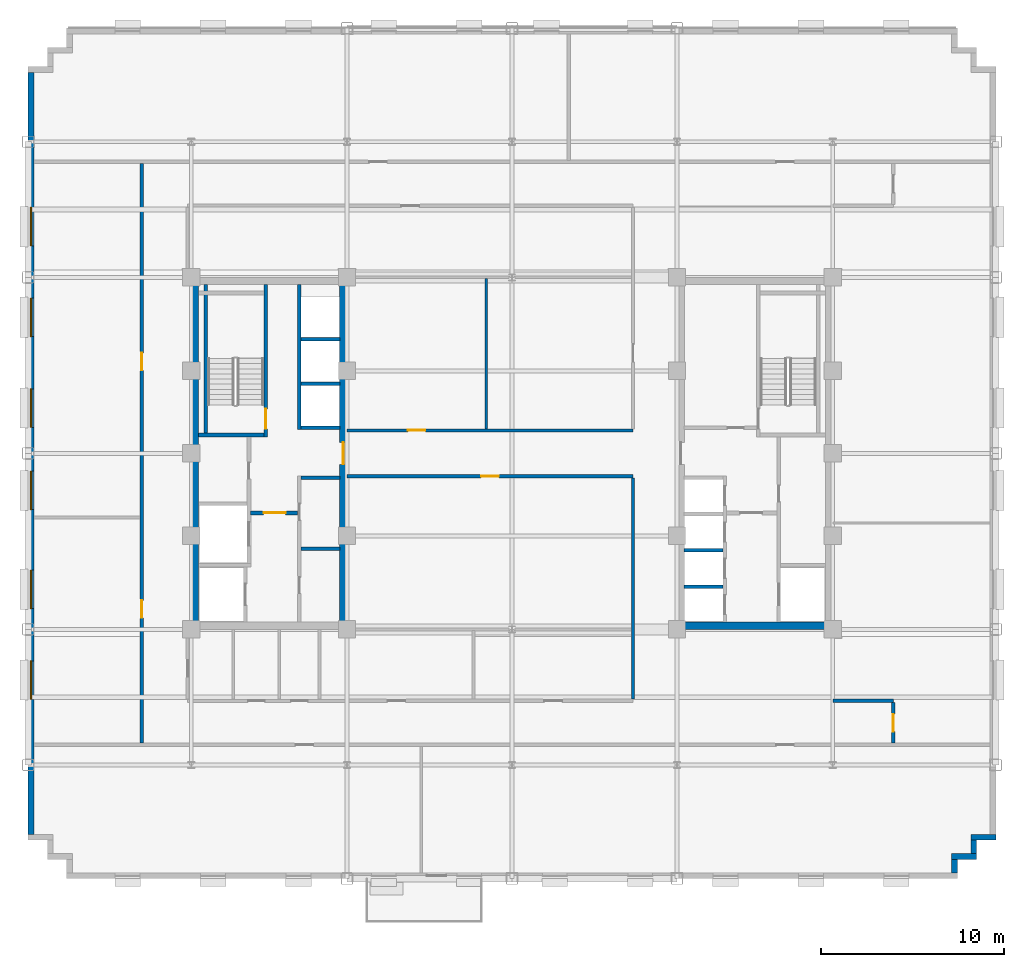
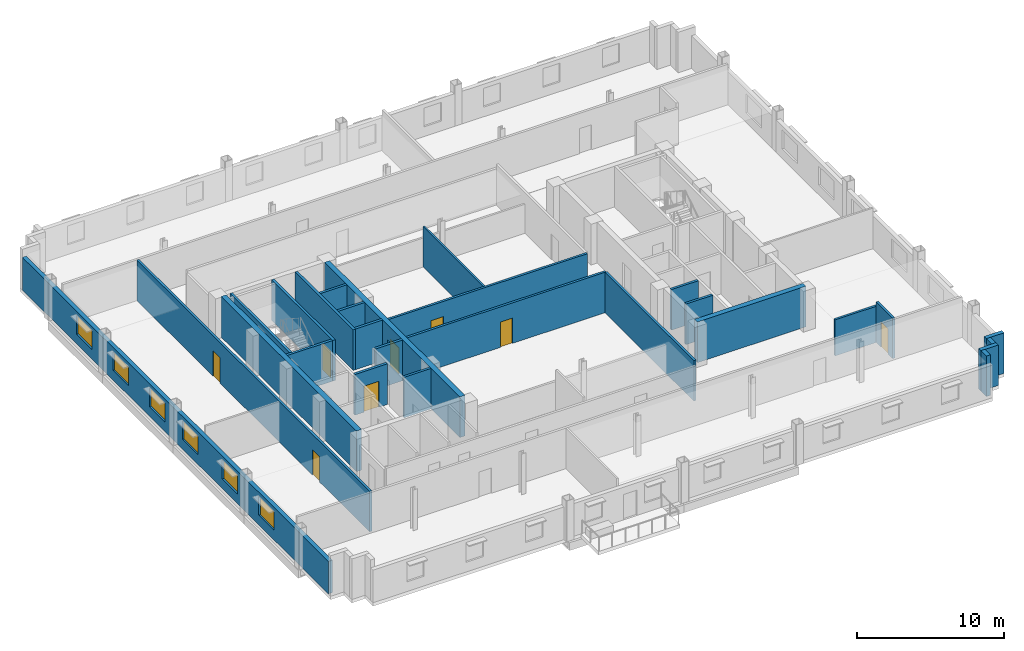
# One storey, part 7 of 14: 27 walls, 8 doors, 6 windows, 14 openings.
"""IFC4 building model written with IfcOpenShell, lengths in metres."""

from ifc_helpers import new_model, si_unit, direction, frame, frame_2d, origin, place, context, subcontext, project, spatial, rectangle, extrude, source, transform, mapped, material, layer, layer_set, type_object, type_shapes, element, fill, save


model = new_model("IFC4")

# Units and contexts
model_context = context("Model", 3, precision=1e-05, world=origin(), true_north=direction((0.0, 1.0)))
body_context = subcontext(model_context, "Body", "Model", "MODEL_VIEW")
ifc_project = project(units=[si_unit("LENGTHUNIT", "METRE"), si_unit("AREAUNIT", "SQUARE_METRE"), si_unit("VOLUMEUNIT", "CUBIC_METRE"), si_unit("PLANEANGLEUNIT", "RADIAN"), si_unit("MASSUNIT", "GRAM", prefix="KILO")], contexts=[model_context])

# Site, building, storey
site_placement = place(None, origin())
site = spatial("IfcSite", under=ifc_project, at=site_placement, CompositionType="ELEMENT")
building_placement = place(site_placement, origin())
building = spatial("IfcBuilding", under=site, at=building_placement, Name="Nuvemarco Arch Tower", CompositionType="ELEMENT")
storey_placement = place(building_placement, frame((0.0, 0.0, 131.14990234375)))
storey = spatial("IfcBuildingStorey", under=building, at=storey_placement, Name="L34", CompositionType="ELEMENT", Elevation=131.14990234375)

# Walls
ifc_material_1 = material(Name="Precast concrete C45/55", Category="concrete")
ifc_layer_1 = layer(ifc_material_1, 0.320068359375, Name="EW-MID-320")
ifc_layer_set_1 = layer_set([ifc_layer_1], Name="Precast concrete C45/55")
wall_type_1 = type_object("IfcWallType", Name="EW-MID-320", PredefinedType="STANDARD", material=ifc_layer_set_1)
wall_1_placement = place(storey_placement, frame((24.139892578125, -22.884033203125, 0.0), z_axis=(0.0, 0.0, 1.0), x_axis=(0.0, 1.0, 0.0)))
element("IfcWall", 1, at=wall_1_placement, inside=storey, type_object=wall_type_1, Name="L34 exterior precast facade wall 2", PredefinedType="STANDARD", context=body_context, shape_type="SweptSolid", body=[
    extrude(rectangle(XDim=0.738037109375, YDim=0.320068359375, at=frame_2d((0.369140625, 0.0))), origin(), (0.0, 0.0, 1.0), 3.360107421875),
])
wall_2_placement = place(storey_placement, frame((23.97998046875, -21.989990234375, 0.0), z_axis=(0.0, 0.0, 1.0), x_axis=(1.0, 0.0, 0.0)))
element("IfcWall", 2, at=wall_2_placement, inside=storey, type_object=wall_type_1, Name="L34 exterior precast facade wall 3", PredefinedType="STANDARD", context=body_context, shape_type="SweptSolid", body=[
    extrude(rectangle(XDim=1.3701171875, YDim=0.320068359375, at=frame_2d((0.68505859375, 0.0))), origin(), (0.0, 0.0, 1.0), 3.360107421875),
])
wall_3_placement = place(storey_placement, frame((25.18994140625, -21.833984375, 0.0), z_axis=(0.0, 0.0, 1.0), x_axis=(0.0, 1.0, 0.0)))
element("IfcWall", 3, at=wall_3_placement, inside=storey, type_object=wall_type_1, Name="L34 exterior precast facade wall 4", PredefinedType="STANDARD", context=body_context, shape_type="SweptSolid", body=[
    extrude(rectangle(XDim=0.738037109375, YDim=0.320068359375, at=frame_2d((0.369140625, 0.0))), origin(), (0.0, 0.0, 1.0), 3.360107421875),
])
wall_4_placement = place(storey_placement, frame((25.030029296875, -20.93994140625, 0.0), z_axis=(0.0, 0.0, 1.0), x_axis=(1.0, 0.0, 0.0)))
element("IfcWall", 4, at=wall_4_placement, inside=storey, type_object=wall_type_1, Name="L34 exterior precast facade wall 5", PredefinedType="STANDARD", context=body_context, shape_type="SweptSolid", body=[
    extrude(rectangle(XDim=1.369873046875, YDim=0.320068359375, at=frame_2d((0.68505859375, 0.0))), origin(), (0.0, 0.0, 1.0), 3.360107421875),
])

# Wall, openings, windows
wall_5_placement = place(storey_placement, frame((-26.239990234375, -20.783935546875, 0.0), z_axis=(0.0, 0.0, 1.0), x_axis=(0.0, 1.0, 0.0)))
wall_5 = element("IfcWall", 5, at=wall_5_placement, inside=storey, type_object=wall_type_1, Name="L34 exterior precast facade wall 16", PredefinedType="STANDARD", context=body_context, shape_type="SweptSolid", body=[
    extrude(rectangle(XDim=41.56787109375, YDim=0.320068359375, at=frame_2d((20.783935546875, 0.0))), origin(), (0.0, 0.0, 1.0), 2.705078125),
])
opening_1_placement = place(wall_5_placement, frame((7.368896484375, 0.0, 0.800048828125)))
opening_1 = element("IfcOpeningElement", 6, at=opening_1_placement, cuts=wall_5, Name="Opening WN-5", PredefinedType="OPENING", context=body_context, shape_type="SweptSolid", body=[
    extrude(rectangle(XDim=2.10009765625, YDim=1.56005859375, at=frame_2d((1.050048828125, 0.780029296875))), frame((0.0, 0.169921875, 0.0), z_axis=(0.0, -1.0, 0.0), x_axis=(1.0, 0.0, 0.0)), (0.0, 0.0, 1.0), 0.340087890625),
])
opening_2_placement = place(wall_5_placement, frame((12.31494140625, 0.0, 0.800048828125)))
opening_2 = element("IfcOpeningElement", 7, at=opening_2_placement, cuts=wall_5, Name="Opening WN-5", PredefinedType="OPENING", context=body_context, shape_type="SweptSolid", body=[
    extrude(rectangle(XDim=2.10009765625, YDim=1.56005859375, at=frame_2d((1.050048828125, 0.780029296875))), frame((0.0, 0.169921875, 0.0), z_axis=(0.0, -1.0, 0.0), x_axis=(1.0, 0.0, 0.0)), (0.0, 0.0, 1.0), 0.340087890625),
])
opening_3_placement = place(wall_5_placement, frame((17.7109375, 0.0, 0.800048828125)))
opening_3 = element("IfcOpeningElement", 8, at=opening_3_placement, cuts=wall_5, Name="Opening WN-5", PredefinedType="OPENING", context=body_context, shape_type="SweptSolid", body=[
    extrude(rectangle(XDim=2.10009765625, YDim=1.56005859375, at=frame_2d((1.050048828125, 0.780029296875))), frame((0.0, 0.169921875, 0.0), z_axis=(0.0, -1.0, 0.0), x_axis=(1.0, 0.0, 0.0)), (0.0, 0.0, 1.0), 0.340087890625),
])
opening_4_placement = place(wall_5_placement, frame((22.20703125, 0.0, 0.800048828125)))
opening_4 = element("IfcOpeningElement", 9, at=opening_4_placement, cuts=wall_5, Name="Opening WN-5", PredefinedType="OPENING", context=body_context, shape_type="SweptSolid", body=[
    extrude(rectangle(XDim=2.10009765625, YDim=1.56005859375, at=frame_2d((1.050048828125, 0.780029296875))), frame((0.0, 0.169921875, 0.0), z_axis=(0.0, -1.0, 0.0), x_axis=(1.0, 0.0, 0.0)), (0.0, 0.0, 1.0), 0.340087890625),
])
opening_5_placement = place(wall_5_placement, frame((27.153076171875, 0.0, 0.800048828125)))
opening_5 = element("IfcOpeningElement", 10, at=opening_5_placement, cuts=wall_5, Name="Opening WN-5", PredefinedType="OPENING", context=body_context, shape_type="SweptSolid", body=[
    extrude(rectangle(XDim=2.10009765625, YDim=1.56005859375, at=frame_2d((1.050048828125, 0.780029296875))), frame((0.0, 0.169921875, 0.0), z_axis=(0.0, -1.0, 0.0), x_axis=(1.0, 0.0, 0.0)), (0.0, 0.0, 1.0), 0.340087890625),
])
opening_6_placement = place(wall_5_placement, frame((32.09912109375, 0.0, 0.800048828125)))
opening_6 = element("IfcOpeningElement", 11, at=opening_6_placement, cuts=wall_5, Name="Opening WN-5", PredefinedType="OPENING", context=body_context, shape_type="SweptSolid", body=[
    extrude(rectangle(XDim=2.10009765625, YDim=1.56005859375, at=frame_2d((1.050048828125, 0.780029296875))), frame((0.0, 0.169921875, 0.0), z_axis=(0.0, -1.0, 0.0), x_axis=(1.0, 0.0, 0.0)), (0.0, 0.0, 1.0), 0.340087890625),
])
ifc_material_2 = material(Name="Insulated solar-control glass", Category="glass")
window_type = type_object("IfcWindowType", Name="WN-MID-2100x1560", PartitioningType="DOUBLE_PANEL_VERTICAL", PredefinedType="WINDOW", material=ifc_material_2)
shared_shape_1 = source(origin(), body_context, "Body", "SweptSolid", [
    extrude(rectangle(XDim=2.10009765625, YDim=1.56005859375, at=frame_2d((1.050048828125, 0.780029296875))), frame((0.0, 0.030029296875, 0.0), z_axis=(0.0, -1.0, 0.0), x_axis=(1.0, 0.0, 0.0)), (0.0, 0.0, 1.0), 0.06005859375),
])
type_shapes(window_type, [shared_shape_1])
window_1_placement = place(opening_1_placement, origin())
window_1 = element("IfcWindow", 12, at=window_1_placement, inside=storey, type_object=window_type, Name="L34 punched facade window 2", OverallHeight=1.56005859375, OverallWidth=2.10009765625, PartitioningType="SINGLE_PANEL", PredefinedType="WINDOW", context=body_context, shape_type="MappedRepresentation", body=[
    mapped(shared_shape_1, transform((0.0, 0.0, 0.0), scale=1.0)),
])
fill(opening_1, window_1)
window_2_placement = place(opening_2_placement, origin())
window_2 = element("IfcWindow", 13, at=window_2_placement, inside=storey, type_object=window_type, Name="L34 punched facade window 3", OverallHeight=1.56005859375, OverallWidth=2.10009765625, PartitioningType="SINGLE_PANEL", PredefinedType="WINDOW", context=body_context, shape_type="MappedRepresentation", body=[
    mapped(shared_shape_1, transform((0.0, 0.0, 0.0), scale=1.0)),
])
fill(opening_2, window_2)
window_3_placement = place(opening_3_placement, origin())
window_3 = element("IfcWindow", 14, at=window_3_placement, inside=storey, type_object=window_type, Name="L34 punched facade window 4", OverallHeight=1.56005859375, OverallWidth=2.10009765625, PartitioningType="SINGLE_PANEL", PredefinedType="WINDOW", context=body_context, shape_type="MappedRepresentation", body=[
    mapped(shared_shape_1, transform((0.0, 0.0, 0.0), scale=1.0)),
])
fill(opening_3, window_3)
window_4_placement = place(opening_4_placement, origin())
window_4 = element("IfcWindow", 15, at=window_4_placement, inside=storey, type_object=window_type, Name="L34 punched facade window 5", OverallHeight=1.56005859375, OverallWidth=2.10009765625, PartitioningType="SINGLE_PANEL", PredefinedType="WINDOW", context=body_context, shape_type="MappedRepresentation", body=[
    mapped(shared_shape_1, transform((0.0, 0.0, 0.0), scale=1.0)),
])
fill(opening_4, window_4)
window_5_placement = place(opening_5_placement, origin())
window_5 = element("IfcWindow", 16, at=window_5_placement, inside=storey, type_object=window_type, Name="L34 punched facade window 6", OverallHeight=1.56005859375, OverallWidth=2.10009765625, PartitioningType="SINGLE_PANEL", PredefinedType="WINDOW", context=body_context, shape_type="MappedRepresentation", body=[
    mapped(shared_shape_1, transform((0.0, 0.0, 0.0), scale=1.0)),
])
fill(opening_5, window_5)
window_6_placement = place(opening_6_placement, origin())
window_6 = element("IfcWindow", 17, at=window_6_placement, inside=storey, type_object=window_type, Name="L34 punched facade window 7", OverallHeight=1.56005859375, OverallWidth=2.10009765625, PartitioningType="SINGLE_PANEL", PredefinedType="WINDOW", context=body_context, shape_type="MappedRepresentation", body=[
    mapped(shared_shape_1, transform((0.0, 0.0, 0.0), scale=1.0)),
])
fill(opening_6, window_6)

# Wall
ifc_material_3 = material(Name="Concrete C60/75", Category="concrete")
ifc_layer_2 = layer(ifc_material_3, 0.39990234375, Name="WL-CORE-400")
ifc_layer_set_2 = layer_set([ifc_layer_2], Name="Concrete C60/75")
wall_type_2 = type_object("IfcWallType", Name="WL-CORE-400", PredefinedType="SHEAR", material=ifc_layer_set_2)
wall_6_placement = place(storey_placement, frame((-17.300048828125, -9.205078125, 0.0), z_axis=(0.0, 0.0, 1.0), x_axis=(0.0, 1.0, 0.0)))
element("IfcWall", 18, at=wall_6_placement, inside=storey, type_object=wall_type_2, Name="L34 W-core shear wall W", PredefinedType="SHEAR", context=body_context, shape_type="SweptSolid", body=[
    extrude(rectangle(XDim=18.41015625, YDim=0.39990234375, at=frame_2d((9.205078125, 0.0))), origin(), (0.0, 0.0, 1.0), 3.3701171875),
])

# Wall, opening, door
wall_7_placement = place(storey_placement, frame((-9.199951171875, -9.205078125, 0.0), z_axis=(0.0, 0.0, 1.0), x_axis=(0.0, 1.0, 0.0)))
wall_7 = element("IfcWall", 19, at=wall_7_placement, inside=storey, type_object=wall_type_2, Name="L34 W-core shear wall E", PredefinedType="SHEAR", context=body_context, shape_type="SweptSolid", body=[
    extrude(rectangle(XDim=18.41015625, YDim=0.39990234375, at=frame_2d((9.205078125, 0.0))), origin(), (0.0, 0.0, 1.0), 3.3701171875),
])
opening_7_placement = place(wall_7_placement, frame((8.60498046875, 0.0, 0.0)))
opening_7 = element("IfcOpeningElement", 20, at=opening_7_placement, cuts=wall_7, Name="Opening FD-2", PredefinedType="OPENING", context=body_context, shape_type="SweptSolid", body=[
    extrude(rectangle(XDim=1.199951171875, YDim=2.14990234375, at=frame_2d((0.60009765625, 1.074951171875))), frame((0.0, 0.2099609375, 0.0), z_axis=(0.0, -1.0, 0.0), x_axis=(1.0, 0.0, 0.0)), (0.0, 0.0, 1.0), 0.419921875),
])
ifc_material_4 = material(Name="Anodised steel fire door", Category="steel")
door_type_1 = type_object("IfcDoorType", Name="DR-FFLOB-FD", OperationType="NOTDEFINED", PredefinedType="DOOR", material=ifc_material_4)
shared_shape_2 = source(origin(), body_context, "Body", "SweptSolid", [
    extrude(rectangle(XDim=1.199951171875, YDim=2.14990234375, at=frame_2d((0.60009765625, 1.074951171875))), frame((0.0, 0.02490234375, 0.0), z_axis=(0.0, -1.0, 0.0), x_axis=(1.0, 0.0, 0.0)), (0.0, 0.0, 1.0), 0.050048828125),
])
type_shapes(door_type_1, [shared_shape_2])
door_1_placement = place(opening_7_placement, origin())
door_1 = element("IfcDoor", 21, at=door_1_placement, inside=storey, type_object=door_type_1, Name="L34 door FD-L34-WCORE-E", OperationType="SINGLE_SWING_LEFT", OverallHeight=2.14990234375, OverallWidth=1.199951171875, PredefinedType="DOOR", context=body_context, shape_type="MappedRepresentation", body=[
    mapped(shared_shape_2, transform((0.0, 0.0, 0.0), scale=1.0)),
])
fill(opening_7, door_1)

# Walls
wall_8_placement = place(storey_placement, frame((9.0, -9.39990234375, 0.0), z_axis=(0.0, 0.0, 1.0), x_axis=(1.0, 0.0, 0.0)))
element("IfcWall", 22, at=wall_8_placement, inside=storey, type_object=wall_type_2, Name="L34 E-core shear wall S", PredefinedType="SHEAR", context=body_context, shape_type="SweptSolid", body=[
    extrude(rectangle(XDim=8.5, YDim=0.39990234375, at=frame_2d((4.25, 0.0))), origin(), (0.0, 0.0, 1.0), 3.3701171875),
])
ifc_material_5 = material(Name="Fire-rated gypsum drywall partition")
ifc_layer_3 = layer(ifc_material_5, 0.179931640625, Name="WL-CORR-180")
ifc_layer_set_3 = layer_set([ifc_layer_3], Name="Fire-rated gypsum drywall partition")
wall_type_3 = type_object("IfcWallType", Name="WL-CORR-180", PredefinedType="PARTITIONING", material=ifc_layer_set_3)
wall_9_placement = place(storey_placement, frame((-11.5048828125, -5.199951171875, 0.0), z_axis=(0.0, 0.0, 1.0), x_axis=(1.0, 0.0, 0.0)))
element("IfcWall", 23, at=wall_9_placement, inside=storey, type_object=wall_type_3, Name="L34 interior wall IW-L34-W-RECK1", PredefinedType="PARTITIONING", context=body_context, shape_type="SweptSolid", body=[
    extrude(rectangle(XDim=2.10986328125, YDim=0.179931640625, at=frame_2d((1.054931640625, 0.0))), origin(), (0.0, 0.0, 1.0), 3.360107421875),
])
wall_10_placement = place(storey_placement, frame((17.5, -13.5, 0.0), z_axis=(0.0, 0.0, 1.0), x_axis=(1.0, 0.0, 0.0)))
element("IfcWall", 24, at=wall_10_placement, inside=storey, type_object=wall_type_3, Name="L34 interior wall IW-L34-003", PredefinedType="PARTITIONING", context=body_context, shape_type="SweptSolid", body=[
    extrude(rectangle(XDim=3.300048828125, YDim=0.179931640625, at=frame_2d((1.64990234375, 0.0))), origin(), (0.0, 0.0, 1.0), 2.998046875),
])

# Wall, opening, door
wall_11_placement = place(storey_placement, frame((-9.0, -1.25, 0.0), z_axis=(0.0, 0.0, 1.0), x_axis=(1.0, 0.0, 0.0)))
wall_11 = element("IfcWall", 25, at=wall_11_placement, inside=storey, type_object=wall_type_3, Name="L34 interior wall IW-L34-008", PredefinedType="PARTITIONING", context=body_context, shape_type="SweptSolid", body=[
    extrude(rectangle(XDim=15.60009765625, YDim=0.179931640625, at=frame_2d((7.800048828125, 0.0))), origin(), (0.0, 0.0, 1.0), 3.360107421875),
])
opening_8_placement = place(wall_11_placement, frame((7.320068359375, 0.0, 0.0)))
opening_8 = element("IfcOpeningElement", 26, at=opening_8_placement, cuts=wall_11, Name="Opening FD-5", PredefinedType="OPENING", context=body_context, shape_type="SweptSolid", body=[
    extrude(rectangle(XDim=0.9599609375, YDim=2.10009765625, at=frame_2d((0.47998046875, 1.050048828125))), frame((0.0, 0.099853515625, 0.0), z_axis=(0.0, -1.0, 0.0), x_axis=(1.0, 0.0, 0.0)), (0.0, 0.0, 1.0), 0.199951171875),
])
ifc_material_6 = material(Name="Timber fire door", Category="wood")
door_type_2 = type_object("IfcDoorType", Name="DR-CORR-FD", OperationType="NOTDEFINED", PredefinedType="DOOR", material=ifc_material_6)
shared_shape_3 = source(origin(), body_context, "Body", "SweptSolid", [
    extrude(rectangle(XDim=0.9599609375, YDim=2.10009765625, at=frame_2d((0.47998046875, 1.050048828125))), frame((0.0, 0.02490234375, 0.0), z_axis=(0.0, -1.0, 0.0), x_axis=(1.0, 0.0, 0.0)), (0.0, 0.0, 1.0), 0.050048828125),
])
type_shapes(door_type_2, [shared_shape_3])
door_2_placement = place(opening_8_placement, origin())
door_2 = element("IfcDoor", 27, at=door_2_placement, inside=storey, type_object=door_type_2, Name="L34 door DR-L34-C_S1", OperationType="SINGLE_SWING_LEFT", OverallHeight=2.10009765625, OverallWidth=0.9599609375, PredefinedType="DOOR", context=body_context, shape_type="MappedRepresentation", body=[
    mapped(shared_shape_3, transform((0.0, 0.0, 0.0), scale=1.0)),
])
fill(opening_8, door_2)

wall_12_placement = place(storey_placement, frame((-9.0, 1.25, 0.0), z_axis=(0.0, 0.0, 1.0), x_axis=(1.0, 0.0, 0.0)))
wall_12 = element("IfcWall", 28, at=wall_12_placement, inside=storey, type_object=wall_type_3, Name="L34 interior wall IW-L34-009", PredefinedType="PARTITIONING", context=body_context, shape_type="SweptSolid", body=[
    extrude(rectangle(XDim=15.60009765625, YDim=0.179931640625, at=frame_2d((7.800048828125, 0.0))), origin(), (0.0, 0.0, 1.0), 3.360107421875),
])
opening_9_placement = place(wall_12_placement, frame((3.320068359375, 0.0, 0.0)))
opening_9 = element("IfcOpeningElement", 29, at=opening_9_placement, cuts=wall_12, Name="Opening FD-5", PredefinedType="OPENING", context=body_context, shape_type="SweptSolid", body=[
    extrude(rectangle(XDim=0.9599609375, YDim=2.10009765625, at=frame_2d((0.47998046875, 1.050048828125))), frame((0.0, 0.099853515625, 0.0), z_axis=(0.0, -1.0, 0.0), x_axis=(1.0, 0.0, 0.0)), (0.0, 0.0, 1.0), 0.199951171875),
])
door_3_placement = place(opening_9_placement, origin())
door_3 = element("IfcDoor", 30, at=door_3_placement, inside=storey, type_object=door_type_2, Name="L34 door DR-L34-C_N1", OperationType="SINGLE_SWING_LEFT", OverallHeight=2.10009765625, OverallWidth=0.9599609375, PredefinedType="DOOR", context=body_context, shape_type="MappedRepresentation", body=[
    mapped(shared_shape_3, transform((0.0, 0.0, 0.0), scale=1.0)),
])
fill(opening_9, door_3)

# Wall, openings, doors
wall_13_placement = place(storey_placement, frame((-20.199951171875, -15.81396484375, 0.0), z_axis=(0.0, 0.0, 1.0), x_axis=(0.0, 1.0, 0.0)))
wall_13 = element("IfcWall", 31, at=wall_13_placement, inside=storey, type_object=wall_type_3, Name="L34 interior wall IW-L34-015", PredefinedType="PARTITIONING", context=body_context, shape_type="SweptSolid", body=[
    extrude(rectangle(XDim=31.6279296875, YDim=0.179931640625, at=frame_2d((15.81396484375, 0.0))), origin(), (0.0, 0.0, 1.0), 3.360107421875),
])
opening_10_placement = place(wall_13_placement, frame((20.333984375, 0.0, 0.0)))
opening_10 = element("IfcOpeningElement", 32, at=opening_10_placement, cuts=wall_13, Name="Opening FD-5", PredefinedType="OPENING", context=body_context, shape_type="SweptSolid", body=[
    extrude(rectangle(XDim=0.9599609375, YDim=2.10009765625, at=frame_2d((0.47998046875, 1.050048828125))), frame((0.0, 0.099853515625, 0.0), z_axis=(0.0, -1.0, 0.0), x_axis=(1.0, 0.0, 0.0)), (0.0, 0.0, 1.0), 0.199951171875),
])
opening_11_placement = place(wall_13_placement, frame((6.833984375, 0.0, 0.0)))
opening_11 = element("IfcOpeningElement", 33, at=opening_11_placement, cuts=wall_13, Name="Opening FD-5", PredefinedType="OPENING", context=body_context, shape_type="SweptSolid", body=[
    extrude(rectangle(XDim=0.9599609375, YDim=2.10009765625, at=frame_2d((0.47998046875, 1.050048828125))), frame((0.0, 0.099853515625, 0.0), z_axis=(0.0, -1.0, 0.0), x_axis=(1.0, 0.0, 0.0)), (0.0, 0.0, 1.0), 0.199951171875),
])
door_4_placement = place(opening_10_placement, origin())
door_4 = element("IfcDoor", 34, at=door_4_placement, inside=storey, type_object=door_type_2, Name="L34 door DR-L34-W_2", OperationType="SINGLE_SWING_RIGHT", OverallHeight=2.10009765625, OverallWidth=0.9599609375, PredefinedType="DOOR", context=body_context, shape_type="MappedRepresentation", body=[
    mapped(shared_shape_3, transform((0.0, 0.0, 0.0), scale=1.0)),
])
fill(opening_10, door_4)
door_5_placement = place(opening_11_placement, origin())
door_5 = element("IfcDoor", 35, at=door_5_placement, inside=storey, type_object=door_type_2, Name="L34 door DR-L34-W_1", OperationType="SINGLE_SWING_LEFT", OverallHeight=2.10009765625, OverallWidth=0.9599609375, PredefinedType="DOOR", context=body_context, shape_type="MappedRepresentation", body=[
    mapped(shared_shape_3, transform((0.0, 0.0, 0.0), scale=1.0)),
])
fill(opening_11, door_5)

# Wall
wall_14_placement = place(storey_placement, frame((6.60009765625, -13.4140625, 0.0), z_axis=(0.0, 0.0, 1.0), x_axis=(0.0, 1.0, 0.0)))
element("IfcWall", 36, at=wall_14_placement, inside=storey, type_object=wall_type_3, Name="L34 interior wall IW-L34-025", PredefinedType="PARTITIONING", context=body_context, shape_type="SweptSolid", body=[
    extrude(rectangle(XDim=12.078125, YDim=0.179931640625, at=frame_2d((6.0390625, 0.0))), origin(), (0.0, 0.0, 1.0), 3.360107421875),
])

# Wall, opening, door
wall_15_placement = place(storey_placement, frame((20.800048828125, -15.81396484375, 0.0), z_axis=(0.0, 0.0, 1.0), x_axis=(0.0, 1.0, 0.0)))
wall_15 = element("IfcWall", 37, at=wall_15_placement, inside=storey, type_object=wall_type_3, Name="L34 interior wall IW-L34-027", PredefinedType="PARTITIONING", context=body_context, shape_type="SweptSolid", body=[
    extrude(rectangle(XDim=2.22802734375, YDim=0.179931640625, at=frame_2d((1.114013671875, 0.0))), origin(), (0.0, 0.0, 1.0), 3.360107421875),
])
opening_12_placement = place(wall_15_placement, frame((0.634033203125, 0.0, 0.0)))
opening_12 = element("IfcOpeningElement", 38, at=opening_12_placement, cuts=wall_15, Name="Opening FD-5", PredefinedType="OPENING", context=body_context, shape_type="SweptSolid", body=[
    extrude(rectangle(XDim=0.9599609375, YDim=2.10009765625, at=frame_2d((0.47998046875, 1.050048828125))), frame((0.0, 0.099853515625, 0.0), z_axis=(0.0, -1.0, 0.0), x_axis=(1.0, 0.0, 0.0)), (0.0, 0.0, 1.0), 0.199951171875),
])
door_6_placement = place(opening_12_placement, origin())
door_6 = element("IfcDoor", 39, at=door_6_placement, inside=storey, type_object=door_type_2, Name="L34 door DR-L34-E_1", OperationType="SINGLE_SWING_RIGHT", OverallHeight=2.10009765625, OverallWidth=0.9599609375, PredefinedType="DOOR", context=body_context, shape_type="MappedRepresentation", body=[
    mapped(shared_shape_3, transform((0.0, 0.0, 0.0), scale=1.0)),
])
fill(opening_12, door_6)

# Wall
ifc_material_7 = material(Name="Gypsum plasterboard partition")
ifc_layer_4 = layer(ifc_material_7, 0.139892578125, Name="WL-ROOM-140")
ifc_layer_set_4 = layer_set([ifc_layer_4], Name="Gypsum plasterboard partition")
wall_type_4 = type_object("IfcWallType", Name="WL-ROOM-140", PredefinedType="PARTITIONING", material=ifc_layer_set_4)
wall_16_placement = place(storey_placement, frame((-1.39990234375, 1.3359375, 0.0), z_axis=(0.0, 0.0, 1.0), x_axis=(0.0, 1.0, 0.0)))
element("IfcWall", 40, at=wall_16_placement, inside=storey, type_object=wall_type_4, Name="L34 interior wall IW-L34-023", PredefinedType="PARTITIONING", context=body_context, shape_type="SweptSolid", body=[
    extrude(rectangle(XDim=8.197998046875, YDim=0.139892578125, at=frame_2d((4.09912109375, 0.0))), origin(), (0.0, 0.0, 1.0), 3.360107421875),
])

# Wall, opening, door
ifc_material_8 = material(Name="Concrete C50/60", Category="concrete")
ifc_layer_5 = layer(ifc_material_8, 0.199951171875, Name="WL-SHAFT-220")
ifc_layer_set_5 = layer_set([ifc_layer_5], Name="Concrete C50/60")
wall_type_5 = type_object("IfcWallType", Name="WL-SHAFT-220", PredefinedType="SHEAR", material=ifc_layer_set_5)
wall_17_placement = place(storey_placement, frame((-13.43994140625, 0.89990234375, 0.0), z_axis=(0.0, 0.0, 1.0), x_axis=(0.0, 1.0, 0.0)))
wall_17 = element("IfcWall", 41, at=wall_17_placement, inside=storey, type_object=wall_type_5, Name="L34 structural shaft wall SW-L34-W-ST1E", PredefinedType="SHEAR", context=body_context, shape_type="SweptSolid", body=[
    extrude(rectangle(XDim=8.30517578125, YDim=0.199951171875, at=frame_2d((4.152587890625, 0.0))), origin(), (0.0, 0.0, 1.0), 3.3701171875),
])
opening_13_placement = place(wall_17_placement, frame((1.530029296875, 0.0, 0.0), z_axis=(0.0, 0.0, 1.0), x_axis=(-1.0, 0.0, 0.0)))
opening_13 = element("IfcOpeningElement", 42, at=opening_13_placement, cuts=wall_17, Name="Opening FD-1", PredefinedType="OPENING", context=body_context, shape_type="SweptSolid", body=[
    extrude(rectangle(XDim=1.10009765625, YDim=2.14990234375, at=frame_2d((0.550048828125, 1.074951171875))), frame((0.0, 0.10986328125, 0.0), z_axis=(0.0, -1.0, 0.0), x_axis=(1.0, 0.0, 0.0)), (0.0, 0.0, 1.0), 0.219970703125),
])
door_type_3 = type_object("IfcDoorType", Name="DR-STAIR-FD", OperationType="NOTDEFINED", PredefinedType="DOOR", material=ifc_material_4)
shared_shape_4 = source(origin(), body_context, "Body", "SweptSolid", [
    extrude(rectangle(XDim=1.10009765625, YDim=2.14990234375, at=frame_2d((0.550048828125, 1.074951171875))), frame((0.0, 0.02490234375, 0.0), z_axis=(0.0, -1.0, 0.0), x_axis=(1.0, 0.0, 0.0)), (0.0, 0.0, 1.0), 0.050048828125),
])
type_shapes(door_type_3, [shared_shape_4])
door_7_placement = place(opening_13_placement, origin())
door_7 = element("IfcDoor", 43, at=door_7_placement, inside=storey, type_object=door_type_3, Name="L34 door FD-L34-ST1", OperationType="SINGLE_SWING_LEFT", OverallHeight=2.14990234375, OverallWidth=1.10009765625, PredefinedType="DOOR", context=body_context, shape_type="MappedRepresentation", body=[
    mapped(shared_shape_4, transform((0.0, 0.0, 0.0), scale=1.0)),
])
fill(opening_13, door_7)

# Walls
wall_18_placement = place(storey_placement, frame((-17.10498046875, 1.0, 0.0), z_axis=(0.0, 0.0, 1.0), x_axis=(1.0, 0.0, 0.0)))
element("IfcWall", 44, at=wall_18_placement, inside=storey, type_object=wall_type_5, Name="L34 structural shaft wall SW-L34-W-ST1S", PredefinedType="SHEAR", context=body_context, shape_type="SweptSolid", body=[
    extrude(rectangle(XDim=3.570068359375, YDim=0.199951171875, at=frame_2d((1.78515625, 0.0))), origin(), (0.0, 0.0, 1.0), 3.3701171875),
])
wall_19_placement = place(storey_placement, frame((-16.699951171875, 1.094970703125, 0.0), z_axis=(0.0, 0.0, 1.0), x_axis=(0.0, 1.0, 0.0)))
element("IfcWall", 45, at=wall_19_placement, inside=storey, type_object=wall_type_5, Name="L34 structural shaft wall SW-L34-W-ST1W", PredefinedType="SHEAR", context=body_context, shape_type="SweptSolid", body=[
    extrude(rectangle(XDim=8.110107421875, YDim=0.199951171875, at=frame_2d((4.05517578125, 0.0))), origin(), (0.0, 0.0, 1.0), 3.3701171875),
])

# Wall, opening, door
wall_20_placement = place(storey_placement, frame((-14.2548828125, -3.25, 0.0), z_axis=(0.0, 0.0, 1.0), x_axis=(1.0, 0.0, 0.0)))
wall_20 = element("IfcWall", 46, at=wall_20_placement, inside=storey, type_object=wall_type_5, Name="L34 structural shaft wall SW-L34-W-FFN", PredefinedType="SHEAR", context=body_context, shape_type="SweptSolid", body=[
    extrude(rectangle(XDim=2.559814453125, YDim=0.199951171875, at=frame_2d((1.27978515625, 0.0))), origin(), (0.0, 0.0, 1.0), 3.3701171875),
])
opening_14_placement = place(wall_20_placement, frame((0.705078125, 0.0, 0.0)))
opening_14 = element("IfcOpeningElement", 47, at=opening_14_placement, cuts=wall_20, Name="Opening FD-2", PredefinedType="OPENING", context=body_context, shape_type="SweptSolid", body=[
    extrude(rectangle(XDim=1.199951171875, YDim=2.14990234375, at=frame_2d((0.60009765625, 1.074951171875))), frame((0.0, 0.10986328125, 0.0), z_axis=(0.0, -1.0, 0.0), x_axis=(1.0, 0.0, 0.0)), (0.0, 0.0, 1.0), 0.219970703125),
])
door_8_placement = place(opening_14_placement, origin())
door_8 = element("IfcDoor", 48, at=door_8_placement, inside=storey, type_object=door_type_1, Name="L34 door FD-L34-WFF1", OperationType="SINGLE_SWING_LEFT", OverallHeight=2.14990234375, OverallWidth=1.199951171875, PredefinedType="DOOR", context=body_context, shape_type="MappedRepresentation", body=[
    mapped(shared_shape_2, transform((0.0, 0.0, 0.0), scale=1.0)),
])
fill(opening_14, door_8)

# Walls
wall_21_placement = place(storey_placement, frame((-11.5048828125, -1.330078125, 0.0), z_axis=(0.0, 0.0, 1.0), x_axis=(1.0, 0.0, 0.0)))
element("IfcWall", 49, at=wall_21_placement, inside=storey, type_object=wall_type_5, Name="L34 structural shaft wall SW-L34-W-PLTOP", PredefinedType="SHEAR", context=body_context, shape_type="SweptSolid", body=[
    extrude(rectangle(XDim=2.10986328125, YDim=0.199951171875, at=frame_2d((1.054931640625, 0.0))), origin(), (0.0, 0.0, 1.0), 3.3701171875),
])
wall_22_placement = place(storey_placement, frame((-11.60009765625, 1.300048828125, 0.0), z_axis=(0.0, 0.0, 1.0), x_axis=(0.0, 1.0, 0.0)))
element("IfcWall", 50, at=wall_22_placement, inside=storey, type_object=wall_type_5, Name="L34 structural shaft wall SW-L34-W-PHW", PredefinedType="SHEAR", context=body_context, shape_type="SweptSolid", body=[
    extrude(rectangle(XDim=7.905029296875, YDim=0.199951171875, at=frame_2d((3.95263671875, 0.0))), origin(), (0.0, 0.0, 1.0), 3.3701171875),
])
for number, where, z_axis, x_axis, name in (
    (51, (-11.5048828125, 1.39990234375, 0.0), (0.0, 0.0, 1.0), (1.0, 0.0, 0.0), "L34 structural shaft wall SW-L34-W-PHD1"),
    (52, (-11.5048828125, 3.800048828125, 0.0), (0.0, 0.0, 1.0), (1.0, 0.0, 0.0), "L34 structural shaft wall SW-L34-W-PHD2"),
    (53, (-11.5048828125, 6.219970703125, 0.0), (0.0, 0.0, 1.0), (1.0, 0.0, 0.0), "L34 structural shaft wall SW-L34-W-PHD3"),
    (54, (9.39501953125, -7.27001953125, 0.0), (0.0, 0.0, 1.0), (1.0, 0.0, 0.0), "L34 structural shaft wall SW-L34-E-PMD1"),
    (55, (9.39501953125, -5.2900390625, 0.0), (0.0, 0.0, 1.0), (1.0, 0.0, 0.0), "L34 structural shaft wall SW-L34-E-PMD2"),
):
    element("IfcWall", number, at=place(storey_placement, frame(where, z_axis=z_axis, x_axis=x_axis)), inside=storey, type_object=wall_type_5, Name=name, PredefinedType="SHEAR", context=body_context, shape_type="SweptSolid", body=[
        extrude(rectangle(XDim=2.10986328125, YDim=0.199951171875, at=frame_2d((1.054931640625, 0.0))), origin(), (0.0, 0.0, 1.0), 3.3701171875),
    ])

save(model, "model.ifc")
